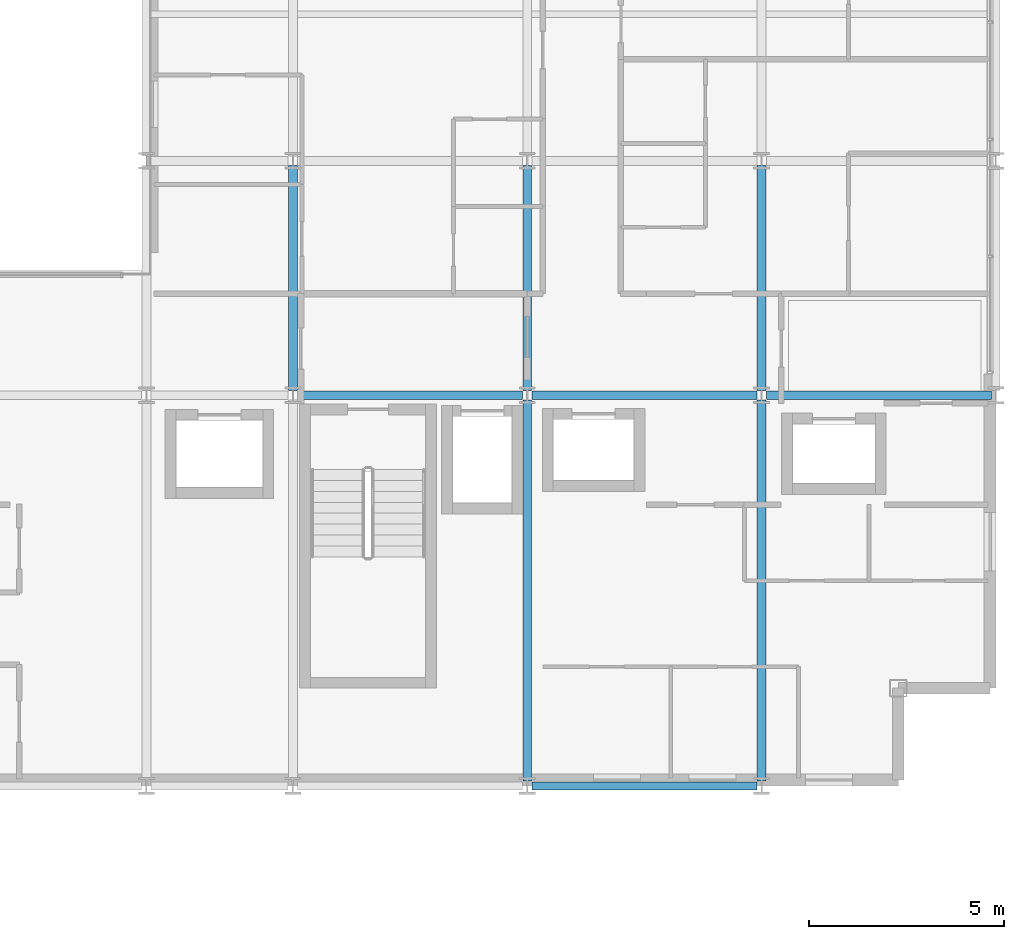
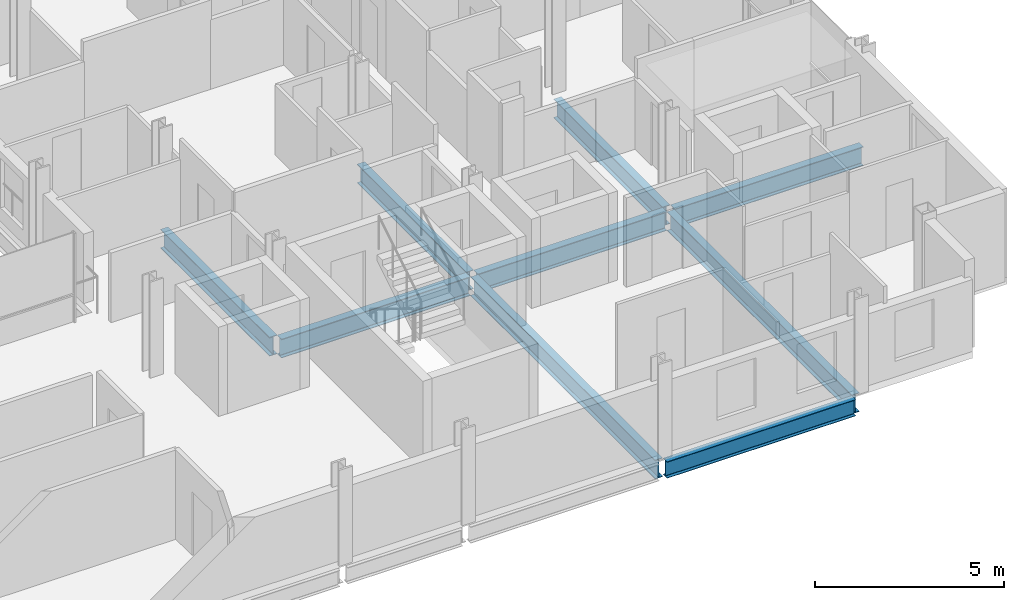
# One storey, part 14 of 40: 9 beams.
"""IFC4 building model written with IfcOpenShell, lengths in metres."""

from ifc_helpers import new_model, si_unit, direction, frame, origin, origin_2d, place, context, subcontext, project, spatial, i_section, extrude, material, material_profile, profile_set, type_object, element, save


model = new_model("IFC4")

# Units and contexts
model_context = context("Model", 3, precision=1e-05, world=origin(), true_north=direction((0.0, 1.0)))
body_context = subcontext(model_context, "Body", "Model", "MODEL_VIEW")
ifc_project = project(units=[si_unit("LENGTHUNIT", "METRE"), si_unit("AREAUNIT", "SQUARE_METRE"), si_unit("VOLUMEUNIT", "CUBIC_METRE"), si_unit("PLANEANGLEUNIT", "RADIAN"), si_unit("MASSUNIT", "GRAM", prefix="KILO")], contexts=[model_context])

# Site, building, storey
site_placement = place(None, origin())
site = spatial("IfcSite", under=ifc_project, at=site_placement, CompositionType="ELEMENT")
building_placement = place(site_placement, origin())
building = spatial("IfcBuilding", under=site, at=building_placement, Name="Brevholm Reach", CompositionType="ELEMENT")
storey_placement = place(building_placement, frame((0.0, 0.0, 119.0)))
storey = spatial("IfcBuildingStorey", under=building, at=storey_placement, Name="L35", CompositionType="ELEMENT", Elevation=119.0)

# Beams
ifc_material_1 = material(Name="Structural Steel S355J2", Category="steel")
ifc_material_profile_1 = material_profile(ifc_material_1, i_section(OverallWidth=0.209228515625, OverallDepth=0.533203125, WebThickness=0.010009765625, FlangeThickness=0.015625, FilletRadius=0.0126953125, at=origin_2d()), Name="UKB 533x210x92")
ifc_profile_set_1 = profile_set([ifc_material_profile_1], Name="Structural Steel S355J2")
beam_type_1 = type_object("IfcBeamType", Name="BM-SP533", PredefinedType="SPANDREL", material=ifc_profile_set_1)
beam_1_placement = place(storey_placement, frame((48.1201171875, 0.0, -0.486572265625), z_axis=(1.0, 0.0, 0.0), x_axis=(0.0, 1.0, 0.0)))
element("IfcBeam", 1, at=beam_1_placement, inside=storey, type_object=beam_type_1, Name="L35 SP-02 Framing Beam", PredefinedType="SPANDREL", context=body_context, shape_type="SweptSolid", body=[
    extrude(i_section(OverallWidth=0.209228515625, OverallDepth=0.533203125, WebThickness=0.010009765625, FlangeThickness=0.015625, FilletRadius=0.0126953125, at=origin_2d()), origin(), (0.0, 0.0, 1.0), 5.759765625),
])
ifc_material_2 = material(Name="Structural Steel S355J2", Category="steel")
ifc_material_profile_2 = material_profile(ifc_material_2, i_section(OverallWidth=0.22900390625, OverallDepth=0.6123046875, WebThickness=0.011962890625, FlangeThickness=0.01953125, FilletRadius=0.0126953125, at=origin_2d()), Name="UKB 610x229x125")
ifc_profile_set_2 = profile_set([ifc_material_profile_2], Name="Structural Steel S355J2")
beam_type_2 = type_object("IfcBeamType", Name="BM-SP610", PredefinedType="SPANDREL", material=ifc_profile_set_2)
for number, where, z_axis, x_axis, name in (
    (2, (42.1201171875, 10.0, -0.526123046875), (1.0, 0.0, 0.0), (0.0, 1.0, 0.0), "L35 SP-01 Framing Beam"),
    (3, (48.1201171875, 10.0, -0.526123046875), (1.0, 0.0, 0.0), (0.0, 1.0, 0.0), "L35 SP-01 Framing Beam"),
    (4, (54.1201171875, 10.0, -0.526123046875), (1.0, 0.0, 0.0), (0.0, 1.0, 0.0), "L35 SP-01 Framing Beam"),
    (5, (42.0, 10.1201171875, -0.526123046875), (0.0, 1.0, 0.0), (-1.0, 0.0, 0.0), "L35 SP-01 Framing Beam"),
):
    element("IfcBeam", number, at=place(storey_placement, frame(where, z_axis=z_axis, x_axis=x_axis)), inside=storey, type_object=beam_type_2, Name=name, PredefinedType="SPANDREL", context=body_context, shape_type="SweptSolid", body=[
        extrude(i_section(OverallWidth=0.22900390625, OverallDepth=0.6123046875, WebThickness=0.011962890625, FlangeThickness=0.01953125, FilletRadius=0.0126953125, at=origin_2d()), origin(), (0.0, 0.0, 1.0), 5.759765625),
    ])
beam_2_placement = place(storey_placement, frame((48.0, 0.1201171875, -0.526123046875), z_axis=(0.0, 1.0, 0.0), x_axis=(-1.0, 0.0, 0.0)))
element("IfcBeam", 6, at=beam_2_placement, inside=storey, type_object=beam_type_2, Name="L35 SP-01 Framing Beam", PredefinedType="SPANDREL", context=body_context, shape_type="SweptSolid", body=[
    extrude(i_section(OverallWidth=0.22900390625, OverallDepth=0.6123046875, WebThickness=0.011962890625, FlangeThickness=0.01953125, FilletRadius=0.0126953125, at=origin_2d()), origin(), (0.0, 0.0, 1.0), 9.759765625),
])
beam_3_placement = place(storey_placement, frame((48.0, 10.1201171875, -0.526123046875), z_axis=(0.0, 1.0, 0.0), x_axis=(-1.0, 0.0, 0.0)))
element("IfcBeam", 7, at=beam_3_placement, inside=storey, type_object=beam_type_2, Name="L35 SP-01 Framing Beam", PredefinedType="SPANDREL", context=body_context, shape_type="SweptSolid", body=[
    extrude(i_section(OverallWidth=0.22900390625, OverallDepth=0.6123046875, WebThickness=0.011962890625, FlangeThickness=0.01953125, FilletRadius=0.0126953125, at=origin_2d()), origin(), (0.0, 0.0, 1.0), 5.759765625),
])
beam_4_placement = place(storey_placement, frame((54.0, 0.1201171875, -0.526123046875), z_axis=(0.0, 1.0, 0.0), x_axis=(-1.0, 0.0, 0.0)))
element("IfcBeam", 8, at=beam_4_placement, inside=storey, type_object=beam_type_2, Name="L35 SP-01 Framing Beam", PredefinedType="SPANDREL", context=body_context, shape_type="SweptSolid", body=[
    extrude(i_section(OverallWidth=0.22900390625, OverallDepth=0.6123046875, WebThickness=0.011962890625, FlangeThickness=0.01953125, FilletRadius=0.0126953125, at=origin_2d()), origin(), (0.0, 0.0, 1.0), 9.759765625),
])
beam_5_placement = place(storey_placement, frame((54.0, 10.1201171875, -0.526123046875), z_axis=(0.0, 1.0, 0.0), x_axis=(-1.0, 0.0, 0.0)))
element("IfcBeam", 9, at=beam_5_placement, inside=storey, type_object=beam_type_2, Name="L35 SP-01 Framing Beam", PredefinedType="SPANDREL", context=body_context, shape_type="SweptSolid", body=[
    extrude(i_section(OverallWidth=0.22900390625, OverallDepth=0.6123046875, WebThickness=0.011962890625, FlangeThickness=0.01953125, FilletRadius=0.0126953125, at=origin_2d()), origin(), (0.0, 0.0, 1.0), 5.759765625),
])

save(model, "model.ifc")
